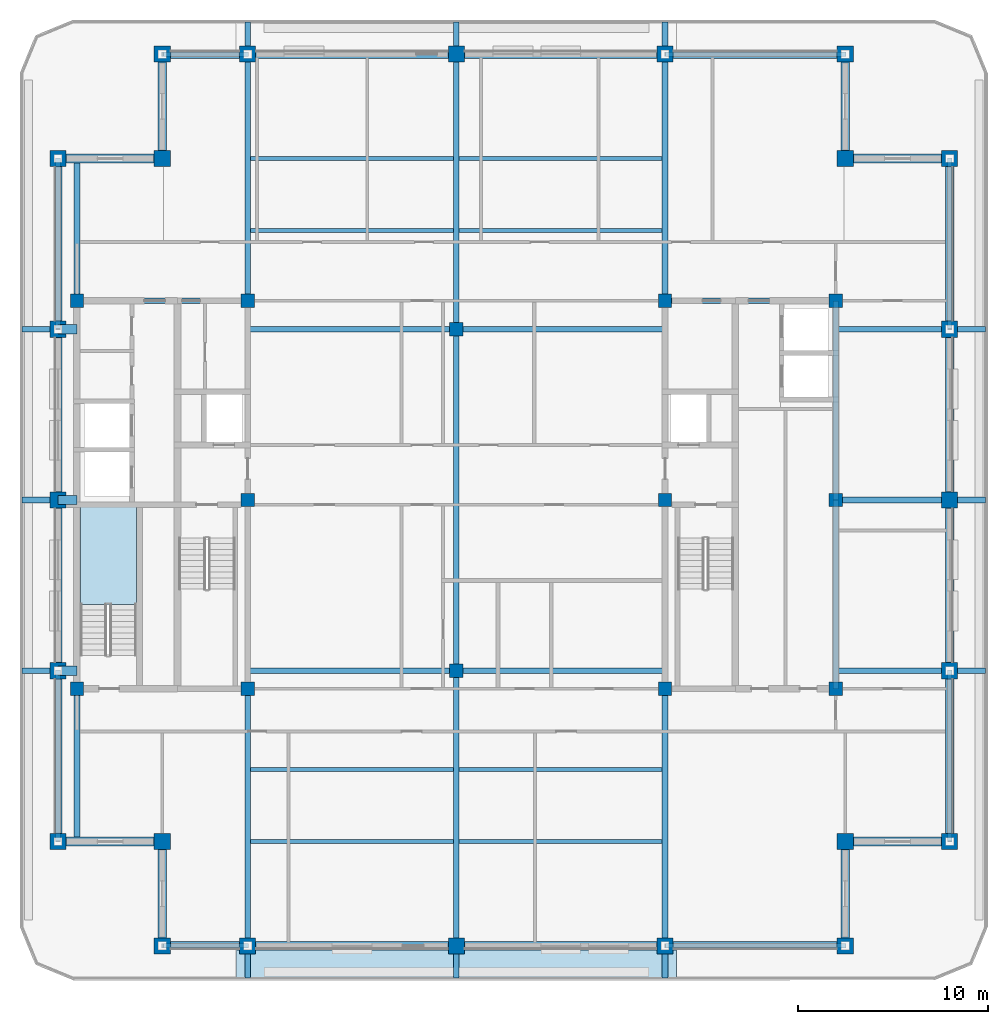
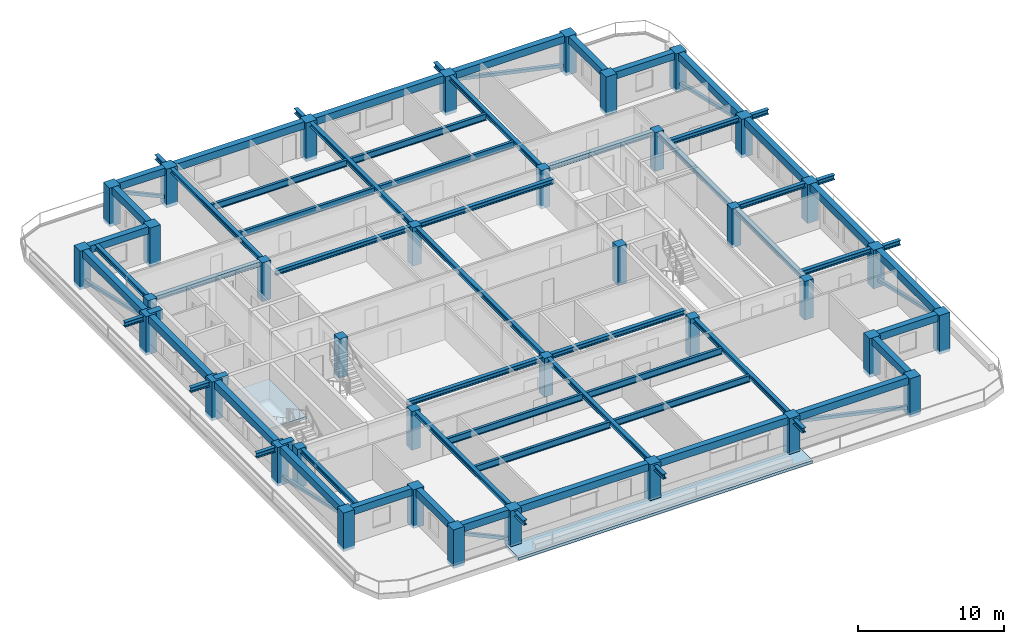
# One storey, part 1 of 11: 67 beams, 37 columns, 8 members, 2 slabs, 1 element without a shape of its own.
"""IFC4 building model written with IfcOpenShell, lengths in metres."""

import ifcopenshell
import ifcopenshell.guid

model = None  # the IFC model being written
_history = None  # IfcOwnerHistory: only IFC2X3 demands one
_inside = {}  # id of a spatial element -> (the spatial element, [elements in it])
_under = {}  # id of a project, library or spatial element -> (it, [spatial elements below it])
_declared = {}  # id of a project -> (the project, [libraries it declares])
_typed = {}  # id of a type object -> (the type object, [elements of that type])
_made_of = {}  # id of a material, layer set ... -> (it, [elements and type objects made of it])


def new_model(schema):
    """Start an empty IFC model of exactly this schema.

    Asked for "IFC4X3", IfcOpenShell would pick the latest addendum, in which some entities
    have other attributes; the version numbers below select the first issue.
    IFC2X3 requires an IfcOwnerHistory on every rooted entity: one is made here for all.
    """
    global model, _history
    if schema == "IFC4X3":
        model = ifcopenshell.file(schema_version=(4, 3, 0, 0))
    else:
        model = ifcopenshell.file(schema=schema)
    _inside.clear()
    _under.clear()
    _declared.clear()
    _typed.clear()
    _made_of.clear()
    _history = None
    if model.schema == "IFC2X3":
        org = make("IfcOrganization", Name="unknown")
        user = make(
            "IfcPersonAndOrganization",
            ThePerson=make("IfcPerson", FamilyName="unknown"),
            TheOrganization=org,
        )
        app = make(
            "IfcApplication",
            ApplicationDeveloper=org,
            Version="unknown",
            ApplicationFullName="unknown",
            ApplicationIdentifier="unknown",
        )
        _history = make(
            "IfcOwnerHistory",
            OwningUser=user,
            OwningApplication=app,
            ChangeAction="ADDED",
            CreationDate=0,
        )
    return model


def make(cls, **values):
    """One entity of the class cls with the attributes given. An attribute that is None is left unset."""
    return model.create_entity(
        cls, **{name: value for name, value in values.items() if value is not None}
    )


def rooted(cls, **values):
    """An entity with a GlobalId (a new one), such as an element, a storey or a relation."""
    return make(cls, GlobalId=ifcopenshell.guid.new(), OwnerHistory=_history, **values)


def si_unit(unit_type, name, prefix=None):
    """IfcSIUnit, for example si_unit("LENGTHUNIT", "METRE", prefix="MILLI")."""
    return make("IfcSIUnit", UnitType=unit_type, Prefix=prefix, Name=name)


def assignment(units):
    """IfcUnitAssignment: the units of a project."""
    return None if units is None else make("IfcUnitAssignment", Units=units)


def point(xyz):
    """IfcCartesianPoint."""
    return None if xyz is None else make("IfcCartesianPoint", Coordinates=xyz)


def direction(xyz):
    """IfcDirection."""
    return None if xyz is None else make("IfcDirection", DirectionRatios=xyz)


def frame(location, z_axis=None, x_axis=None):
    """IfcAxis2Placement3D, a coordinate frame: its origin and axes. An axis left out is left unset."""
    return make(
        "IfcAxis2Placement3D",
        Location=point(location),
        Axis=direction(z_axis),
        RefDirection=direction(x_axis),
    )


def frame_2d(location, x_axis=None):
    """IfcAxis2Placement2D, a coordinate frame in the plane: its origin and x axis."""
    return make(
        "IfcAxis2Placement2D", Location=point(location), RefDirection=direction(x_axis)
    )


def origin():
    """The frame at (0, 0, 0) with its axes left unset."""
    return frame((0.0, 0.0, 0.0))


def origin_2d():
    """The frame at (0, 0) in the plane with its x axis left unset."""
    return frame_2d((0.0, 0.0))


def place(relative_to, where):
    """IfcLocalPlacement: puts the frame where relative to a parent placement (None: the world)."""
    return make(
        "IfcLocalPlacement", PlacementRelTo=relative_to, RelativePlacement=where
    )


def context(
    kind, dimensions, precision=None, world=None, true_north=None, identifier=None
):
    """IfcGeometricRepresentationContext, for example the 3D "Model" context."""
    return make(
        "IfcGeometricRepresentationContext",
        ContextIdentifier=identifier,
        ContextType=kind,
        CoordinateSpaceDimension=dimensions,
        Precision=precision,
        WorldCoordinateSystem=world,
        TrueNorth=true_north,
    )


def subcontext(parent, identifier, kind, view, scale=None):
    """IfcGeometricRepresentationSubContext, for example "Body" below "Model"."""
    return make(
        "IfcGeometricRepresentationSubContext",
        ContextIdentifier=identifier,
        ContextType=kind,
        ParentContext=parent,
        TargetScale=scale,
        TargetView=view,
    )


def project(units=None, contexts=None):
    """IfcProject with its units and contexts."""
    return rooted(
        "IfcProject",
        Name="project",
        RepresentationContexts=contexts,
        UnitsInContext=assignment(units),
    )


def spatial(cls, under=None, at=None, **own):
    """A site, building, storey or space (cls), placed at a placement, below another one or the project."""
    s = rooted(cls, ObjectPlacement=at, **own)
    if under is not None:
        _under.setdefault(under.id(), (under, []))[1].append(s)
    return s


def polyline(points):
    """IfcPolyline through the points."""
    return make("IfcPolyline", Points=[point(p) for p in points])


def profile(cls, at=None, kind="AREA", **sizes):
    """A parametric profile (cls). Its sizes go by their IFC names, for example OverallWidth=200.0."""
    return make(cls, ProfileType=kind, Position=at, **sizes)


def rectangle(**sizes):
    """IfcRectangleProfileDef."""
    return profile("IfcRectangleProfileDef", **sizes)


def hollow_rectangle(**sizes):
    """IfcRectangleHollowProfileDef."""
    return profile("IfcRectangleHollowProfileDef", **sizes)


def i_section(**sizes):
    """IfcIShapeProfileDef."""
    return profile("IfcIShapeProfileDef", **sizes)


def outline(outer, holes=None, kind="AREA"):
    """IfcArbitraryClosedProfileDef: a profile drawn as a closed curve; with holes, ...WithVoids."""
    if holes is None:
        return make("IfcArbitraryClosedProfileDef", ProfileType=kind, OuterCurve=outer)
    return make(
        "IfcArbitraryProfileDefWithVoids",
        ProfileType=kind,
        OuterCurve=outer,
        InnerCurves=holes,
    )


def extrude(swept, where, along, depth):
    """IfcExtrudedAreaSolid: the profile swept, set in the frame where, extruded along a direction by depth."""
    return make(
        "IfcExtrudedAreaSolid",
        SweptArea=swept,
        Position=where,
        ExtrudedDirection=direction(along),
        Depth=depth,
    )


def shape(context_of_items, identifier, shape_type, items):
    """IfcShapeRepresentation: the items that make up one representation, for example the "Body"."""
    return make(
        "IfcShapeRepresentation",
        ContextOfItems=context_of_items,
        RepresentationIdentifier=identifier,
        RepresentationType=shape_type,
        Items=items,
    )


def material(Name=None, Category=None):
    """IfcMaterial."""
    return make("IfcMaterial", Name=Name, Category=Category)


def layer(
    of_material, thickness, ventilated=None, Name=None, Category=None, Priority=None
):
    """IfcMaterialLayer: one layer of a wall or slab, of a material (None: an air gap)."""
    return make(
        "IfcMaterialLayer",
        Material=of_material,
        LayerThickness=thickness,
        IsVentilated=ventilated,
        Name=Name,
        Category=Category,
        Priority=Priority,
    )


def layer_set(layers, Name=None):
    """IfcMaterialLayerSet."""
    return make("IfcMaterialLayerSet", MaterialLayers=layers, LayerSetName=Name)


def material_profile(
    of_material, cross_section, Name=None, Category=None, Priority=None
):
    """IfcMaterialProfile: a cross section and its material."""
    return make(
        "IfcMaterialProfile",
        Name=Name,
        Material=of_material,
        Profile=cross_section,
        Priority=Priority,
        Category=Category,
    )


def profile_set(profiles, Name=None, composite=None):
    """IfcMaterialProfileSet."""
    return make(
        "IfcMaterialProfileSet",
        Name=Name,
        MaterialProfiles=profiles,
        CompositeProfile=composite,
    )


def made_of(thing, what):
    """Note that an element or type object is made of a material, layer set ...; save() writes the relation."""
    if what is not None:
        _made_of.setdefault(what.id(), (what, []))[1].append(thing)
    return thing


def type_object(cls, material=None, **own):
    """A type object (cls), such as IfcWallType, which elements share."""
    return made_of(rooted(cls, **own), material)


def element(
    cls,
    number,
    at=None,
    inside=None,
    cuts=None,
    type_object=None,
    material=None,
    context=None,
    identifier="Body",
    shape_type=None,
    held_by="IfcProductDefinitionShape",
    body=None,
    shapes=None,
    **own,
):
    """One element of the class cls, such as IfcWall. Its Tag is "e" and its number.

    at: its placement. inside: the storey or other place that contains it. cuts: it is an
    opening in that element (IfcRelVoidsElement). A single representation is given by context,
    identifier, shape_type and body (its items); several are given by shapes. held_by: the class
    of the entity that holds the representations. save() writes the other relations.
    """
    e = rooted(cls, Tag="e%d" % number, ObjectPlacement=at, **own)
    if body is not None:
        shapes = [shape(context, identifier, shape_type, body)]
    if shapes is not None:
        e.Representation = make(held_by, Representations=shapes)
    if inside is not None:
        _inside.setdefault(inside.id(), (inside, []))[1].append(e)
    if cuts is not None:
        rooted(
            "IfcRelVoidsElement", RelatingBuildingElement=cuts, RelatedOpeningElement=e
        )
    if type_object is not None:
        _typed.setdefault(type_object.id(), (type_object, []))[1].append(e)
    return made_of(e, material)


def aggregate(whole, parts):
    """IfcRelAggregates: a whole, such as a stair, and the parts it consists of."""
    return rooted("IfcRelAggregates", RelatingObject=whole, RelatedObjects=parts)


def save(model, path):
    """Write the relations noted so far, then the file.

    IfcRelAggregates (storeys below a building ...), IfcRelContainedInSpatialStructure (elements
    in a storey), IfcRelDefinesByType, IfcRelAssociatesMaterial and IfcRelDeclares: one each for
    every whole, place, type object, material and project.
    """
    for whole, parts in _under.values():
        aggregate(whole, parts)
    for where, things in _inside.values():
        rooted(
            "IfcRelContainedInSpatialStructure",
            RelatedElements=things,
            RelatingStructure=where,
        )
    for kind, things in _typed.values():
        rooted("IfcRelDefinesByType", RelatedObjects=things, RelatingType=kind)
    for what, things in _made_of.values():
        rooted("IfcRelAssociatesMaterial", RelatedObjects=things, RelatingMaterial=what)
    for by, libraries in _declared.values():
        rooted("IfcRelDeclares", RelatingContext=by, RelatedDefinitions=libraries)
    model.write(path)


model = new_model("IFC4")

# Units and contexts
model_context = context("Model", 3, precision=1e-05, world=origin(), true_north=direction((0.0, 1.0)))
body_context = subcontext(model_context, "Body", "Model", "MODEL_VIEW")
ifc_project = project(units=[si_unit("LENGTHUNIT", "METRE"), si_unit("AREAUNIT", "SQUARE_METRE"), si_unit("VOLUMEUNIT", "CUBIC_METRE"), si_unit("PLANEANGLEUNIT", "RADIAN"), si_unit("MASSUNIT", "GRAM", prefix="KILO")], contexts=[model_context])

# Site, building, storey
site_placement = place(None, origin())
site = spatial("IfcSite", under=ifc_project, at=site_placement, CompositionType="ELEMENT")
building_placement = place(site_placement, origin())
building = spatial("IfcBuilding", under=site, at=building_placement, Name="Zulmaris Gate Convention Tower", CompositionType="ELEMENT")
storey_placement = place(building_placement, frame((0.0, 0.0, 239.739990234375)))
storey = spatial("IfcBuildingStorey", under=building, at=storey_placement, Name="L63", CompositionType="ELEMENT", Elevation=239.739990234375)

# Columns
ifc_material_1 = material(Name="Concrete C50/60", Category="concrete")
ifc_material_profile_1 = material_profile(ifc_material_1, rectangle(XDim=0.699951171875, YDim=0.699951171875, at=origin_2d()), Name="RC COL 700x700")
ifc_profile_set_1 = profile_set([ifc_material_profile_1], Name="Concrete C50/60")
column_type_1 = type_object("IfcColumnType", Name="COL-RC700", PredefinedType="COLUMN", material=ifc_profile_set_1)
for number, where, z_axis, x_axis, name in (
    (1, (-20.0, -9.949951171875, -0.25), (0.0, 0.0, 1.0), (1.0, 0.0, 0.0), "L63 Column IN--20.00_-9.95"),
    (2, (-20.0, 10.5, -0.25), (0.0, 0.0, 1.0), (1.0, 0.0, 0.0), "L63 Column IN--20.00_+10.50"),
    (3, (-11.0, -9.949951171875, -0.25), (0.0, 0.0, 1.0), (1.0, 0.0, 0.0), "L63 Column IN--11.00_-9.95"),
    (4, (-11.0, 0.0, -0.25), (0.0, 0.0, 1.0), (1.0, 0.0, 0.0), "L63 Column IN--11.00_+0.00"),
    (5, (-11.0, 10.5, -0.25), (0.0, 0.0, 1.0), (1.0, 0.0, 0.0), "L63 Column IN--11.00_+10.50"),
    (6, (11.0, -9.949951171875, -0.25), (0.0, 0.0, 1.0), (1.0, 0.0, 0.0), "L63 Column IN-+11.00_-9.95"),
    (7, (11.0, 0.0, -0.25), (0.0, 0.0, 1.0), (1.0, 0.0, 0.0), "L63 Column IN-+11.00_+0.00"),
    (8, (11.0, 10.5, -0.25), (0.0, 0.0, 1.0), (1.0, 0.0, 0.0), "L63 Column IN-+11.00_+10.50"),
    (9, (20.0, -9.949951171875, -0.25), (0.0, 0.0, 1.0), (1.0, 0.0, 0.0), "L63 Column IN-+20.00_-9.95"),
    (10, (20.0, 10.5, -0.25), (0.0, 0.0, 1.0), (1.0, 0.0, 0.0), "L63 Column IN-+20.00_+10.50"),
    (11, (0.0, -9.0, -0.25), (0.0, 0.0, 1.0), (1.0, 0.0, 0.0), "L63 Column IN-+0.00_-9.00"),
    (12, (0.0, 9.0, -0.25), (0.0, 0.0, 1.0), (1.0, 0.0, 0.0), "L63 Column IN-+0.00_+9.00"),
    (13, (20.0, 0.0, -0.25), (0.0, 0.0, 1.0), (1.0, 0.0, 0.0), "L63 Column IN-+20.00_+0.00"),
):
    element("IfcColumn", number, at=place(storey_placement, frame(where, z_axis=z_axis, x_axis=x_axis)), inside=storey, type_object=column_type_1, Name=name, PredefinedType="COLUMN", context=body_context, shape_type="SweptSolid", body=[
        extrude(rectangle(XDim=0.699951171875, YDim=0.699951171875, at=origin_2d()), origin(), (0.0, 0.0, 1.0), 3.22998046875),
    ])
ifc_material_2 = material(Name="Concrete C60/75", Category="concrete")
ifc_material_profile_2 = material_profile(ifc_material_2, rectangle(XDim=0.85009765625, YDim=0.85009765625, at=origin_2d()), Name="RC COL 850x850")
ifc_profile_set_2 = profile_set([ifc_material_profile_2], Name="Concrete C60/75")
column_type_2 = type_object("IfcColumnType", Name="COL-RC850", PredefinedType="COLUMN", material=ifc_profile_set_2)
for number, where, z_axis, x_axis, name in (
    (14, (-15.5, -23.5, -0.25), (0.0, 0.0, 1.0), (1.0, 0.0, 0.0), "L63 Column PT--15.50_-23.50"),
    (15, (-11.0, -23.5, -0.25), (0.0, 0.0, 1.0), (1.0, 0.0, 0.0), "L63 Column PT--11.00_-23.50"),
    (16, (0.0, -23.5, -0.25), (0.0, 0.0, 1.0), (1.0, 0.0, 0.0), "L63 Column PT-+0.00_-23.50"),
    (17, (11.0, -23.5, -0.25), (0.0, 0.0, 1.0), (1.0, 0.0, 0.0), "L63 Column PT-+11.00_-23.50"),
    (18, (20.5, -23.5, -0.25), (0.0, 0.0, 1.0), (1.0, 0.0, 0.0), "L63 Column PT-+20.50_-23.50"),
    (19, (-15.5, 23.5, -0.25), (0.0, 0.0, 1.0), (1.0, 0.0, 0.0), "L63 Column PT--15.50_+23.50"),
    (20, (-11.0, 23.5, -0.25), (0.0, 0.0, 1.0), (1.0, 0.0, 0.0), "L63 Column PT--11.00_+23.50"),
    (21, (0.0, 23.5, -0.25), (0.0, 0.0, 1.0), (1.0, 0.0, 0.0), "L63 Column PT-+0.00_+23.50"),
    (22, (11.0, 23.5, -0.25), (0.0, 0.0, 1.0), (1.0, 0.0, 0.0), "L63 Column PT-+11.00_+23.50"),
    (23, (20.5, 23.5, -0.25), (0.0, 0.0, 1.0), (1.0, 0.0, 0.0), "L63 Column PT-+20.50_+23.50"),
    (24, (-21.0, -18.0, -0.25), (0.0, 0.0, 1.0), (1.0, 0.0, 0.0), "L63 Column PT--21.00_-18.00"),
    (25, (-21.0, -9.0, -0.25), (0.0, 0.0, 1.0), (1.0, 0.0, 0.0), "L63 Column PT--21.00_-9.00"),
    (26, (-21.0, 0.0, -0.25), (0.0, 0.0, 1.0), (1.0, 0.0, 0.0), "L63 Column PT--21.00_+0.00"),
    (27, (-21.0, 9.0, -0.25), (0.0, 0.0, 1.0), (1.0, 0.0, 0.0), "L63 Column PT--21.00_+9.00"),
    (28, (-21.0, 18.0, -0.25), (0.0, 0.0, 1.0), (1.0, 0.0, 0.0), "L63 Column PT--21.00_+18.00"),
    (29, (26.0, -18.0, -0.25), (0.0, 0.0, 1.0), (1.0, 0.0, 0.0), "L63 Column PT-+26.00_-18.00"),
    (30, (26.0, -9.0, -0.25), (0.0, 0.0, 1.0), (1.0, 0.0, 0.0), "L63 Column PT-+26.00_-9.00"),
    (31, (26.0, 0.0, -0.25), (0.0, 0.0, 1.0), (1.0, 0.0, 0.0), "L63 Column PT-+26.00_+0.00"),
    (32, (26.0, 9.0, -0.25), (0.0, 0.0, 1.0), (1.0, 0.0, 0.0), "L63 Column PT-+26.00_+9.00"),
    (33, (26.0, 18.0, -0.25), (0.0, 0.0, 1.0), (1.0, 0.0, 0.0), "L63 Column PT-+26.00_+18.00"),
    (34, (-15.5, -18.0, -0.25), (0.0, 0.0, 1.0), (1.0, 0.0, 0.0), "L63 Column PT--15.50_-18.00"),
    (35, (20.5, -18.0, -0.25), (0.0, 0.0, 1.0), (1.0, 0.0, 0.0), "L63 Column PT-+20.50_-18.00"),
    (36, (20.5, 18.0, -0.25), (0.0, 0.0, 1.0), (1.0, 0.0, 0.0), "L63 Column PT-+20.50_+18.00"),
    (37, (-15.5, 18.0, -0.25), (0.0, 0.0, 1.0), (1.0, 0.0, 0.0), "L63 Column PT--15.50_+18.00"),
):
    element("IfcColumn", number, at=place(storey_placement, frame(where, z_axis=z_axis, x_axis=x_axis)), inside=storey, type_object=column_type_2, Name=name, PredefinedType="COLUMN", context=body_context, shape_type="SweptSolid", body=[
        extrude(rectangle(XDim=0.85009765625, YDim=0.85009765625, at=origin_2d()), origin(), (0.0, 0.0, 1.0), 3.22998046875),
    ])

# Beams
ifc_material_3 = material(Name="Steel S355", Category="steel")
ifc_material_profile_3 = material_profile(ifc_material_3, i_section(OverallWidth=0.300048828125, OverallDepth=0.39990234375, WebThickness=0.013427734375, FlangeThickness=0.02392578125, FilletRadius=0.027099609375, at=origin_2d()), Name="HEB 400")
ifc_profile_set_3 = profile_set([ifc_material_profile_3], Name="Steel S355")
beam_type_1 = type_object("IfcBeamType", Name="BM-HEB400", PredefinedType="BEAM", material=ifc_profile_set_3)
for number, where, z_axis, x_axis, name in (
    (38, (-11.0, -25.199951171875, 2.639892578125), (0.0, 1.0, 0.0), (-1.0, 0.0, 0.0), "L63 Beam TBRK-L63-S--11"),
    (39, (-11.0, 23.5, 2.639892578125), (0.0, 1.0, 0.0), (-1.0, 0.0, 0.0), "L63 Beam TBRK-L63-N--11"),
    (40, (0.0, -25.199951171875, 2.639892578125), (0.0, 1.0, 0.0), (-1.0, 0.0, 0.0), "L63 Beam TBRK-L63-S-+0"),
    (41, (0.0, 23.5, 2.639892578125), (0.0, 1.0, 0.0), (-1.0, 0.0, 0.0), "L63 Beam TBRK-L63-N-+0"),
    (42, (11.0, -25.199951171875, 2.639892578125), (0.0, 1.0, 0.0), (-1.0, 0.0, 0.0), "L63 Beam TBRK-L63-S-+11"),
    (43, (11.0, 23.5, 2.639892578125), (0.0, 1.0, 0.0), (-1.0, 0.0, 0.0), "L63 Beam TBRK-L63-N-+11"),
):
    element("IfcBeam", number, at=place(storey_placement, frame(where, z_axis=z_axis, x_axis=x_axis)), inside=storey, type_object=beam_type_1, Name=name, PredefinedType="BEAM", context=body_context, shape_type="SweptSolid", body=[
        extrude(i_section(OverallWidth=0.300048828125, OverallDepth=0.39990234375, WebThickness=0.013427734375, FlangeThickness=0.02392578125, FilletRadius=0.027099609375, at=origin_2d()), origin(), (0.0, 0.0, 1.0), 1.699951171875),
    ])
for number, where, z_axis, x_axis, name in (
    (44, (-22.89990234375, -9.0, 2.639892578125), (1.0, 0.0, 0.0), (0.0, 1.0, 0.0), "L63 Beam TBRK-L63-W--9"),
    (45, (26.0, -9.0, 2.639892578125), (1.0, 0.0, 0.0), (0.0, 1.0, 0.0), "L63 Beam TBRK-L63-E--9"),
    (46, (-22.89990234375, 0.0, 2.639892578125), (1.0, 0.0, 0.0), (0.0, 1.0, 0.0), "L63 Beam TBRK-L63-W-+0"),
    (47, (26.0, 0.0, 2.639892578125), (1.0, 0.0, 0.0), (0.0, 1.0, 0.0), "L63 Beam TBRK-L63-E-+0"),
    (48, (-22.89990234375, 9.0, 2.639892578125), (1.0, 0.0, 0.0), (0.0, 1.0, 0.0), "L63 Beam TBRK-L63-W-+9"),
    (49, (26.0, 9.0, 2.639892578125), (1.0, 0.0, 0.0), (0.0, 1.0, 0.0), "L63 Beam TBRK-L63-E-+9"),
):
    element("IfcBeam", number, at=place(storey_placement, frame(where, z_axis=z_axis, x_axis=x_axis)), inside=storey, type_object=beam_type_1, Name=name, PredefinedType="BEAM", context=body_context, shape_type="SweptSolid", body=[
        extrude(i_section(OverallWidth=0.300048828125, OverallDepth=0.39990234375, WebThickness=0.013427734375, FlangeThickness=0.02392578125, FilletRadius=0.027099609375, at=origin_2d()), origin(), (0.0, 0.0, 1.0), 1.89990234375),
    ])
for number, where, z_axis, x_axis, name in (
    (50, (-11.0, -9.0, 2.778076171875), (1.0, 0.0, 0.0), (0.0, 1.0, 0.0), "L63 Beam BM-L63-G01"),
    (51, (0.0, -9.0, 2.778076171875), (1.0, 0.0, 0.0), (0.0, 1.0, 0.0), "L63 Beam BM-L63-G02"),
    (52, (-11.0, 9.0, 2.778076171875), (1.0, 0.0, 0.0), (0.0, 1.0, 0.0), "L63 Beam BM-L63-G03"),
    (53, (0.0, 9.0, 2.778076171875), (1.0, 0.0, 0.0), (0.0, 1.0, 0.0), "L63 Beam BM-L63-G04"),
):
    element("IfcBeam", number, at=place(storey_placement, frame(where, z_axis=z_axis, x_axis=x_axis)), inside=storey, type_object=beam_type_1, Name=name, PredefinedType="BEAM", context=body_context, shape_type="SweptSolid", body=[
        extrude(i_section(OverallWidth=0.300048828125, OverallDepth=0.39990234375, WebThickness=0.013427734375, FlangeThickness=0.02392578125, FilletRadius=0.027099609375, at=origin_2d()), origin(), (0.0, 0.0, 1.0), 11.0),
    ])
beam_1_placement = place(storey_placement, frame((0.0, -23.5, 2.778076171875), z_axis=(0.0, 1.0, 0.0), x_axis=(-1.0, 0.0, 0.0)))
element("IfcBeam", 54, at=beam_1_placement, inside=storey, type_object=beam_type_1, Name="L63 Beam BM-L63-G05", PredefinedType="BEAM", context=body_context, shape_type="SweptSolid", body=[
    extrude(i_section(OverallWidth=0.300048828125, OverallDepth=0.39990234375, WebThickness=0.013427734375, FlangeThickness=0.02392578125, FilletRadius=0.027099609375, at=origin_2d()), origin(), (0.0, 0.0, 1.0), 14.5),
])
beam_2_placement = place(storey_placement, frame((0.0, -9.0, 2.778076171875), z_axis=(0.0, 1.0, 0.0), x_axis=(-1.0, 0.0, 0.0)))
element("IfcBeam", 55, at=beam_2_placement, inside=storey, type_object=beam_type_1, Name="L63 Beam BM-L63-G06", PredefinedType="BEAM", context=body_context, shape_type="SweptSolid", body=[
    extrude(i_section(OverallWidth=0.300048828125, OverallDepth=0.39990234375, WebThickness=0.013427734375, FlangeThickness=0.02392578125, FilletRadius=0.027099609375, at=origin_2d()), origin(), (0.0, 0.0, 1.0), 18.0),
])
beam_3_placement = place(storey_placement, frame((0.0, 9.0, 2.778076171875), z_axis=(0.0, 1.0, 0.0), x_axis=(-1.0, 0.0, 0.0)))
element("IfcBeam", 56, at=beam_3_placement, inside=storey, type_object=beam_type_1, Name="L63 Beam BM-L63-G07", PredefinedType="BEAM", context=body_context, shape_type="SweptSolid", body=[
    extrude(i_section(OverallWidth=0.300048828125, OverallDepth=0.39990234375, WebThickness=0.013427734375, FlangeThickness=0.02392578125, FilletRadius=0.027099609375, at=origin_2d()), origin(), (0.0, 0.0, 1.0), 14.5),
])
beam_4_placement = place(storey_placement, frame((-11.0, -23.5, 2.778076171875), z_axis=(0.0, 1.0, 0.0), x_axis=(-1.0, 0.0, 0.0)))
element("IfcBeam", 57, at=beam_4_placement, inside=storey, type_object=beam_type_1, Name="L63 Beam BM-L63-G08", PredefinedType="BEAM", context=body_context, shape_type="SweptSolid", body=[
    extrude(i_section(OverallWidth=0.300048828125, OverallDepth=0.39990234375, WebThickness=0.013427734375, FlangeThickness=0.02392578125, FilletRadius=0.027099609375, at=origin_2d()), origin(), (0.0, 0.0, 1.0), 13.550048828125),
])
beam_5_placement = place(storey_placement, frame((-11.0, 10.5, 2.778076171875), z_axis=(0.0, 1.0, 0.0), x_axis=(-1.0, 0.0, 0.0)))
element("IfcBeam", 58, at=beam_5_placement, inside=storey, type_object=beam_type_1, Name="L63 Beam BM-L63-G09", PredefinedType="BEAM", context=body_context, shape_type="SweptSolid", body=[
    extrude(i_section(OverallWidth=0.300048828125, OverallDepth=0.39990234375, WebThickness=0.013427734375, FlangeThickness=0.02392578125, FilletRadius=0.027099609375, at=origin_2d()), origin(), (0.0, 0.0, 1.0), 13.0),
])
beam_6_placement = place(storey_placement, frame((11.0, -23.5, 2.778076171875), z_axis=(0.0, 1.0, 0.0), x_axis=(-1.0, 0.0, 0.0)))
element("IfcBeam", 59, at=beam_6_placement, inside=storey, type_object=beam_type_1, Name="L63 Beam BM-L63-G10", PredefinedType="BEAM", context=body_context, shape_type="SweptSolid", body=[
    extrude(i_section(OverallWidth=0.300048828125, OverallDepth=0.39990234375, WebThickness=0.013427734375, FlangeThickness=0.02392578125, FilletRadius=0.027099609375, at=origin_2d()), origin(), (0.0, 0.0, 1.0), 13.550048828125),
])
beam_7_placement = place(storey_placement, frame((11.0, 10.5, 2.778076171875), z_axis=(0.0, 1.0, 0.0), x_axis=(-1.0, 0.0, 0.0)))
element("IfcBeam", 60, at=beam_7_placement, inside=storey, type_object=beam_type_1, Name="L63 Beam BM-L63-G11", PredefinedType="BEAM", context=body_context, shape_type="SweptSolid", body=[
    extrude(i_section(OverallWidth=0.300048828125, OverallDepth=0.39990234375, WebThickness=0.013427734375, FlangeThickness=0.02392578125, FilletRadius=0.027099609375, at=origin_2d()), origin(), (0.0, 0.0, 1.0), 13.0),
])
beam_8_placement = place(storey_placement, frame((-20.0, -18.0, 2.778076171875), z_axis=(0.0, 1.0, 0.0), x_axis=(-1.0, 0.0, 0.0)))
element("IfcBeam", 61, at=beam_8_placement, inside=storey, type_object=beam_type_1, Name="L63 Beam BM-L63-G12", PredefinedType="BEAM", context=body_context, shape_type="SweptSolid", body=[
    extrude(i_section(OverallWidth=0.300048828125, OverallDepth=0.39990234375, WebThickness=0.013427734375, FlangeThickness=0.02392578125, FilletRadius=0.027099609375, at=origin_2d()), origin(), (0.0, 0.0, 1.0), 8.050048828125),
])
beam_9_placement = place(storey_placement, frame((-20.0, 10.5, 2.778076171875), z_axis=(0.0, 1.0, 0.0), x_axis=(-1.0, 0.0, 0.0)))
element("IfcBeam", 62, at=beam_9_placement, inside=storey, type_object=beam_type_1, Name="L63 Beam BM-L63-G13", PredefinedType="BEAM", context=body_context, shape_type="SweptSolid", body=[
    extrude(i_section(OverallWidth=0.300048828125, OverallDepth=0.39990234375, WebThickness=0.013427734375, FlangeThickness=0.02392578125, FilletRadius=0.027099609375, at=origin_2d()), origin(), (0.0, 0.0, 1.0), 7.5),
])
for number, where, z_axis, x_axis, name in (
    (63, (20.0, -9.0, 2.778076171875), (1.0, 0.0, 0.0), (0.0, 1.0, 0.0), "L63 Beam BM-L63-G19"),
    (64, (20.0, 0.0, 2.778076171875), (1.0, 0.0, 0.0), (0.0, 1.0, 0.0), "L63 Beam BM-L63-G20"),
    (65, (20.0, 9.0, 2.778076171875), (1.0, 0.0, 0.0), (0.0, 1.0, 0.0), "L63 Beam BM-L63-G21"),
):
    element("IfcBeam", number, at=place(storey_placement, frame(where, z_axis=z_axis, x_axis=x_axis)), inside=storey, type_object=beam_type_1, Name=name, PredefinedType="BEAM", context=body_context, shape_type="SweptSolid", body=[
        extrude(i_section(OverallWidth=0.300048828125, OverallDepth=0.39990234375, WebThickness=0.013427734375, FlangeThickness=0.02392578125, FilletRadius=0.027099609375, at=origin_2d()), origin(), (0.0, 0.0, 1.0), 6.0),
    ])
for number, where, z_axis, x_axis, name in (
    (66, (-20.0, 10.5, 2.778076171875), (1.0, 0.0, 0.0), (0.0, 1.0, 0.0), "L63 Beam BM-L63-G23"),
    (67, (11.0, 10.5, 2.778076171875), (1.0, 0.0, 0.0), (0.0, 1.0, 0.0), "L63 Beam BM-L63-G25"),
):
    element("IfcBeam", number, at=place(storey_placement, frame(where, z_axis=z_axis, x_axis=x_axis)), inside=storey, type_object=beam_type_1, Name=name, PredefinedType="BEAM", context=body_context, shape_type="SweptSolid", body=[
        extrude(i_section(OverallWidth=0.300048828125, OverallDepth=0.39990234375, WebThickness=0.013427734375, FlangeThickness=0.02392578125, FilletRadius=0.027099609375, at=origin_2d()), origin(), (0.0, 0.0, 1.0), 9.0),
    ])
beam_10_placement = place(storey_placement, frame((20.0, -9.949951171875, 2.778076171875), z_axis=(0.0, 1.0, 0.0), x_axis=(-1.0, 0.0, 0.0)))
element("IfcBeam", 68, at=beam_10_placement, inside=storey, type_object=beam_type_1, Name="L63 Beam BM-L63-G28", PredefinedType="BEAM", context=body_context, shape_type="SweptSolid", body=[
    extrude(i_section(OverallWidth=0.300048828125, OverallDepth=0.39990234375, WebThickness=0.013427734375, FlangeThickness=0.02392578125, FilletRadius=0.027099609375, at=origin_2d()), origin(), (0.0, 0.0, 1.0), 9.949951171875),
])
beam_11_placement = place(storey_placement, frame((20.0, 0.0, 2.778076171875), z_axis=(0.0, 1.0, 0.0), x_axis=(-1.0, 0.0, 0.0)))
element("IfcBeam", 69, at=beam_11_placement, inside=storey, type_object=beam_type_1, Name="L63 Beam BM-L63-G29", PredefinedType="BEAM", context=body_context, shape_type="SweptSolid", body=[
    extrude(i_section(OverallWidth=0.300048828125, OverallDepth=0.39990234375, WebThickness=0.013427734375, FlangeThickness=0.02392578125, FilletRadius=0.027099609375, at=origin_2d()), origin(), (0.0, 0.0, 1.0), 10.5),
])
ifc_material_profile_4 = material_profile(ifc_material_1, rectangle(XDim=0.5, YDim=0.800048828125, at=origin_2d()), Name="RC BEAM 500x800")
ifc_profile_set_4 = profile_set([ifc_material_profile_4], Name="Concrete C50/60")
beam_type_2 = type_object("IfcBeamType", Name="BM-RC500x800", PredefinedType="BEAM", material=ifc_profile_set_4)
for number, where, z_axis, x_axis, name in (
    (70, (-21.0, -9.0, 2.580078125), (1.0, 0.0, 0.0), (0.0, 1.0, 0.0), "L63 Beam BM-L63-G16"),
    (71, (-21.0, 0.0, 2.580078125), (1.0, 0.0, 0.0), (0.0, 1.0, 0.0), "L63 Beam BM-L63-G17"),
    (72, (-21.0, 9.0, 2.580078125), (1.0, 0.0, 0.0), (0.0, 1.0, 0.0), "L63 Beam BM-L63-G18"),
):
    element("IfcBeam", number, at=place(storey_placement, frame(where, z_axis=z_axis, x_axis=x_axis)), inside=storey, type_object=beam_type_2, Name=name, PredefinedType="BEAM", context=body_context, shape_type="SweptSolid", body=[
        extrude(rectangle(XDim=0.5, YDim=0.800048828125, at=origin_2d()), origin(), (0.0, 0.0, 1.0), 1.0),
    ])
ifc_material_4 = material(Name="Precast concrete C50/60", Category="concrete")
ifc_material_profile_5 = material_profile(ifc_material_4, rectangle(XDim=0.449951171875, YDim=0.60009765625, at=origin_2d()), Name="RC SPANDREL 450x600")
ifc_profile_set_5 = profile_set([ifc_material_profile_5], Name="Precast concrete C50/60")
beam_type_3 = type_object("IfcBeamType", Name="BM-SP450x600", PredefinedType="SPANDREL", material=ifc_profile_set_5)
beam_12_placement = place(storey_placement, frame((-15.5, -23.5, 2.679931640625), z_axis=(1.0, 0.0, 0.0), x_axis=(0.0, 1.0, 0.0)))
element("IfcBeam", 73, at=beam_12_placement, inside=storey, type_object=beam_type_3, Name="L63 Spandrel SP-L63-01", PredefinedType="SPANDREL", context=body_context, shape_type="SweptSolid", body=[
    extrude(rectangle(XDim=0.449951171875, YDim=0.60009765625, at=origin_2d()), origin(), (0.0, 0.0, 1.0), 4.5),
])
for number, where, z_axis, x_axis, name in (
    (74, (-11.0, -23.5, 2.679931640625), (1.0, 0.0, 0.0), (0.0, 1.0, 0.0), "L63 Spandrel SP-L63-02"),
    (75, (0.0, -23.5, 2.679931640625), (1.0, 0.0, 0.0), (0.0, 1.0, 0.0), "L63 Spandrel SP-L63-03"),
):
    element("IfcBeam", number, at=place(storey_placement, frame(where, z_axis=z_axis, x_axis=x_axis)), inside=storey, type_object=beam_type_3, Name=name, PredefinedType="SPANDREL", context=body_context, shape_type="SweptSolid", body=[
        extrude(rectangle(XDim=0.449951171875, YDim=0.60009765625, at=origin_2d()), origin(), (0.0, 0.0, 1.0), 11.0),
    ])
beam_13_placement = place(storey_placement, frame((11.0, -23.5, 2.679931640625), z_axis=(1.0, 0.0, 0.0), x_axis=(0.0, 1.0, 0.0)))
element("IfcBeam", 76, at=beam_13_placement, inside=storey, type_object=beam_type_3, Name="L63 Spandrel SP-L63-04", PredefinedType="SPANDREL", context=body_context, shape_type="SweptSolid", body=[
    extrude(rectangle(XDim=0.449951171875, YDim=0.60009765625, at=origin_2d()), origin(), (0.0, 0.0, 1.0), 9.5),
])
for number, where, z_axis, x_axis, name in (
    (77, (20.5, -23.5, 2.679931640625), (0.0, 1.0, 0.0), (-1.0, 0.0, 0.0), "L63 Spandrel SP-L63-05"),
    (78, (20.5, -18.0, 2.679931640625), (1.0, 0.0, 0.0), (0.0, 1.0, 0.0), "L63 Spandrel SP-L63-06"),
):
    element("IfcBeam", number, at=place(storey_placement, frame(where, z_axis=z_axis, x_axis=x_axis)), inside=storey, type_object=beam_type_3, Name=name, PredefinedType="SPANDREL", context=body_context, shape_type="SweptSolid", body=[
        extrude(rectangle(XDim=0.449951171875, YDim=0.60009765625, at=origin_2d()), origin(), (0.0, 0.0, 1.0), 5.5),
    ])
for number, where, z_axis, x_axis, name in (
    (79, (26.0, -18.0, 2.679931640625), (0.0, 1.0, 0.0), (-1.0, 0.0, 0.0), "L63 Spandrel SP-L63-07"),
    (80, (26.0, -9.0, 2.679931640625), (0.0, 1.0, 0.0), (-1.0, 0.0, 0.0), "L63 Spandrel SP-L63-08"),
    (81, (26.0, 0.0, 2.679931640625), (0.0, 1.0, 0.0), (-1.0, 0.0, 0.0), "L63 Spandrel SP-L63-09"),
    (82, (26.0, 9.0, 2.679931640625), (0.0, 1.0, 0.0), (-1.0, 0.0, 0.0), "L63 Spandrel SP-L63-10"),
):
    element("IfcBeam", number, at=place(storey_placement, frame(where, z_axis=z_axis, x_axis=x_axis)), inside=storey, type_object=beam_type_3, Name=name, PredefinedType="SPANDREL", context=body_context, shape_type="SweptSolid", body=[
        extrude(rectangle(XDim=0.449951171875, YDim=0.60009765625, at=origin_2d()), origin(), (0.0, 0.0, 1.0), 9.0),
    ])
for number, where, z_axis, x_axis, name in (
    (83, (26.0, 18.0, 2.679931640625), (-1.0, 0.0, 0.0), (0.0, -1.0, 0.0), "L63 Spandrel SP-L63-11"),
    (84, (20.5, 18.0, 2.679931640625), (0.0, 1.0, 0.0), (-1.0, 0.0, 0.0), "L63 Spandrel SP-L63-12"),
):
    element("IfcBeam", number, at=place(storey_placement, frame(where, z_axis=z_axis, x_axis=x_axis)), inside=storey, type_object=beam_type_3, Name=name, PredefinedType="SPANDREL", context=body_context, shape_type="SweptSolid", body=[
        extrude(rectangle(XDim=0.449951171875, YDim=0.60009765625, at=origin_2d()), origin(), (0.0, 0.0, 1.0), 5.5),
    ])
beam_14_placement = place(storey_placement, frame((20.5, 23.5, 2.679931640625), z_axis=(-1.0, 0.0, 0.0), x_axis=(0.0, -1.0, 0.0)))
element("IfcBeam", 85, at=beam_14_placement, inside=storey, type_object=beam_type_3, Name="L63 Spandrel SP-L63-13", PredefinedType="SPANDREL", context=body_context, shape_type="SweptSolid", body=[
    extrude(rectangle(XDim=0.449951171875, YDim=0.60009765625, at=origin_2d()), origin(), (0.0, 0.0, 1.0), 9.5),
])
for number, where, z_axis, x_axis, name in (
    (86, (11.0, 23.5, 2.679931640625), (-1.0, 0.0, 0.0), (0.0, -1.0, 0.0), "L63 Spandrel SP-L63-14"),
    (87, (0.0, 23.5, 2.679931640625), (-1.0, 0.0, 0.0), (0.0, -1.0, 0.0), "L63 Spandrel SP-L63-15"),
):
    element("IfcBeam", number, at=place(storey_placement, frame(where, z_axis=z_axis, x_axis=x_axis)), inside=storey, type_object=beam_type_3, Name=name, PredefinedType="SPANDREL", context=body_context, shape_type="SweptSolid", body=[
        extrude(rectangle(XDim=0.449951171875, YDim=0.60009765625, at=origin_2d()), origin(), (0.0, 0.0, 1.0), 11.0),
    ])
beam_15_placement = place(storey_placement, frame((-11.0, 23.5, 2.679931640625), z_axis=(-1.0, 0.0, 0.0), x_axis=(0.0, -1.0, 0.0)))
element("IfcBeam", 88, at=beam_15_placement, inside=storey, type_object=beam_type_3, Name="L63 Spandrel SP-L63-16", PredefinedType="SPANDREL", context=body_context, shape_type="SweptSolid", body=[
    extrude(rectangle(XDim=0.449951171875, YDim=0.60009765625, at=origin_2d()), origin(), (0.0, 0.0, 1.0), 4.5),
])
for number, where, z_axis, x_axis, name in (
    (89, (-15.5, 23.5, 2.679931640625), (0.0, -1.0, 0.0), (1.0, 0.0, 0.0), "L63 Spandrel SP-L63-17"),
    (90, (-15.5, 18.0, 2.679931640625), (-1.0, 0.0, 0.0), (0.0, -1.0, 0.0), "L63 Spandrel SP-L63-18"),
):
    element("IfcBeam", number, at=place(storey_placement, frame(where, z_axis=z_axis, x_axis=x_axis)), inside=storey, type_object=beam_type_3, Name=name, PredefinedType="SPANDREL", context=body_context, shape_type="SweptSolid", body=[
        extrude(rectangle(XDim=0.449951171875, YDim=0.60009765625, at=origin_2d()), origin(), (0.0, 0.0, 1.0), 5.5),
    ])
for number, where, z_axis, x_axis, name in (
    (91, (-21.0, 18.0, 2.679931640625), (0.0, -1.0, 0.0), (1.0, 0.0, 0.0), "L63 Spandrel SP-L63-19"),
    (92, (-21.0, 9.0, 2.679931640625), (0.0, -1.0, 0.0), (1.0, 0.0, 0.0), "L63 Spandrel SP-L63-20"),
    (93, (-21.0, 0.0, 2.679931640625), (0.0, -1.0, 0.0), (1.0, 0.0, 0.0), "L63 Spandrel SP-L63-21"),
    (94, (-21.0, -9.0, 2.679931640625), (0.0, -1.0, 0.0), (1.0, 0.0, 0.0), "L63 Spandrel SP-L63-22"),
):
    element("IfcBeam", number, at=place(storey_placement, frame(where, z_axis=z_axis, x_axis=x_axis)), inside=storey, type_object=beam_type_3, Name=name, PredefinedType="SPANDREL", context=body_context, shape_type="SweptSolid", body=[
        extrude(rectangle(XDim=0.449951171875, YDim=0.60009765625, at=origin_2d()), origin(), (0.0, 0.0, 1.0), 9.0),
    ])
for number, where, z_axis, x_axis, name in (
    (95, (-21.0, -18.0, 2.679931640625), (1.0, 0.0, 0.0), (0.0, 1.0, 0.0), "L63 Spandrel SP-L63-23"),
    (96, (-15.5, -18.0, 2.679931640625), (0.0, -1.0, 0.0), (1.0, 0.0, 0.0), "L63 Spandrel SP-L63-24"),
):
    element("IfcBeam", number, at=place(storey_placement, frame(where, z_axis=z_axis, x_axis=x_axis)), inside=storey, type_object=beam_type_3, Name=name, PredefinedType="SPANDREL", context=body_context, shape_type="SweptSolid", body=[
        extrude(rectangle(XDim=0.449951171875, YDim=0.60009765625, at=origin_2d()), origin(), (0.0, 0.0, 1.0), 5.5),
    ])

# Members
ifc_material_profile_6 = material_profile(ifc_material_3, hollow_rectangle(XDim=0.25, YDim=0.25, WallThickness=0.012451171875, at=origin_2d()), Name="SHS 250x250x12.5")
ifc_profile_set_6 = profile_set([ifc_material_profile_6], Name="Steel S355")
member_type = type_object("IfcMemberType", Name="BR-SHS250", PredefinedType="BRACE", material=ifc_profile_set_6)
for number, where, z_axis, x_axis, name in (
    (97, (-21.0, -9.0, 0.300048828125), (0.0, -0.974789860724, 0.223124914409), (1.0, 0.0, 0.0), "L63 Perimeter Tube Diagonal SW-W"),
    (98, (-21.0, 18.0, 0.300048828125), (0.0, -0.974789860724, 0.223124914409), (1.0, 0.0, 0.0), "L63 Perimeter Tube Diagonal NW-W"),
    (99, (26.0, -9.0, 0.300048828125), (0.0, -0.974789860724, 0.223124914409), (1.0, 0.0, 0.0), "L63 Perimeter Tube Diagonal SE-E"),
    (100, (26.0, 18.0, 0.300048828125), (0.0, -0.974789860724, 0.223124914409), (1.0, 0.0, 0.0), "L63 Perimeter Tube Diagonal NE-E"),
):
    element("IfcMember", number, at=place(storey_placement, frame(where, z_axis=z_axis, x_axis=x_axis)), inside=storey, type_object=member_type, Name=name, PredefinedType="BRACE", context=body_context, shape_type="SweptSolid", body=[
        extrude(hollow_rectangle(XDim=0.25, YDim=0.25, WallThickness=0.012451171875, at=origin_2d()), origin(), (0.0, 0.0, 1.0), 9.232666015625),
    ])
member_1_placement = place(storey_placement, frame((-11.0, -23.5, 0.300048828125), z_axis=(-0.909251577034, 0.0, 0.416247005589), x_axis=(0.0, -1.0, 0.0)))
element("IfcMember", 101, at=member_1_placement, inside=storey, type_object=member_type, Name="L63 Perimeter Tube Diagonal SW-S", PredefinedType="BRACE", context=body_context, shape_type="SweptSolid", body=[
    extrude(hollow_rectangle(XDim=0.25, YDim=0.25, WallThickness=0.012451171875, at=origin_2d()), origin(), (0.0, 0.0, 1.0), 4.94921875),
])
member_2_placement = place(storey_placement, frame((20.5, -23.5, 0.300048828125), z_axis=(-0.977286395287, 0.0, 0.21192286707), x_axis=(0.0, -1.0, 0.0)))
element("IfcMember", 102, at=member_2_placement, inside=storey, type_object=member_type, Name="L63 Perimeter Tube Diagonal SE-S", PredefinedType="BRACE", context=body_context, shape_type="SweptSolid", body=[
    extrude(hollow_rectangle(XDim=0.25, YDim=0.25, WallThickness=0.012451171875, at=origin_2d()), origin(), (0.0, 0.0, 1.0), 9.720703125),
])
member_3_placement = place(storey_placement, frame((-11.0, 23.5, 0.300048828125), z_axis=(-0.909251577034, 0.0, 0.416247005589), x_axis=(0.0, -1.0, 0.0)))
element("IfcMember", 103, at=member_3_placement, inside=storey, type_object=member_type, Name="L63 Perimeter Tube Diagonal NW-N", PredefinedType="BRACE", context=body_context, shape_type="SweptSolid", body=[
    extrude(hollow_rectangle(XDim=0.25, YDim=0.25, WallThickness=0.012451171875, at=origin_2d()), origin(), (0.0, 0.0, 1.0), 4.94921875),
])
member_4_placement = place(storey_placement, frame((20.5, 23.5, 0.300048828125), z_axis=(-0.977286395287, 0.0, 0.21192286707), x_axis=(0.0, -1.0, 0.0)))
element("IfcMember", 104, at=member_4_placement, inside=storey, type_object=member_type, Name="L63 Perimeter Tube Diagonal NE-N", PredefinedType="BRACE", context=body_context, shape_type="SweptSolid", body=[
    extrude(hollow_rectangle(XDim=0.25, YDim=0.25, WallThickness=0.012451171875, at=origin_2d()), origin(), (0.0, 0.0, 1.0), 9.720703125),
])

# Beams
ifc_material_profile_7 = material_profile(ifc_material_3, i_section(OverallWidth=0.2099609375, OverallDepth=0.550048828125, WebThickness=0.010986328125, FlangeThickness=0.01708984375, FilletRadius=0.02392578125, at=origin_2d()), Name="IPE 550")
ifc_profile_set_7 = profile_set([ifc_material_profile_7], Name="Steel S355")
beam_type_4 = type_object("IfcBeamType", Name="JT-IPE550", PredefinedType="JOIST", material=ifc_profile_set_7)
for number, where, z_axis, x_axis, name in (
    (105, (-10.85009765625, -18.0, 2.703125), (1.0, 0.0, 0.0), (0.0, 1.0, 0.0), "L63 Joist JT-L63-CW--18.0"),
    (106, (0.14990234375, -18.0, 2.703125), (1.0, 0.0, 0.0), (0.0, 1.0, 0.0), "L63 Joist JT-L63-CE--18.0"),
    (107, (-10.85009765625, -14.199951171875, 2.703125), (1.0, 0.0, 0.0), (0.0, 1.0, 0.0), "L63 Joist JT-L63-CW--14.2"),
    (108, (0.14990234375, -14.199951171875, 2.703125), (1.0, 0.0, 0.0), (0.0, 1.0, 0.0), "L63 Joist JT-L63-CE--14.2"),
    (109, (-10.85009765625, 14.199951171875, 2.703125), (1.0, 0.0, 0.0), (0.0, 1.0, 0.0), "L63 Joist JT-L63-CW-+14.2"),
    (110, (0.14990234375, 14.199951171875, 2.703125), (1.0, 0.0, 0.0), (0.0, 1.0, 0.0), "L63 Joist JT-L63-CE-+14.2"),
    (111, (-10.85009765625, 18.0, 2.703125), (1.0, 0.0, 0.0), (0.0, 1.0, 0.0), "L63 Joist JT-L63-CW-+18.0"),
    (112, (0.14990234375, 18.0, 2.703125), (1.0, 0.0, 0.0), (0.0, 1.0, 0.0), "L63 Joist JT-L63-CE-+18.0"),
):
    element("IfcBeam", number, at=place(storey_placement, frame(where, z_axis=z_axis, x_axis=x_axis)), inside=storey, type_object=beam_type_4, Name=name, PredefinedType="JOIST", context=body_context, shape_type="SweptSolid", body=[
        extrude(i_section(OverallWidth=0.2099609375, OverallDepth=0.550048828125, WebThickness=0.010986328125, FlangeThickness=0.01708984375, FilletRadius=0.02392578125, at=origin_2d()), origin(), (0.0, 0.0, 1.0), 10.7001953125),
    ])

# Slab
ifc_layer_1 = layer(ifc_material_4, 0.239990234375, Name="Precast concrete C50/60")
ifc_layer_set_1 = layer_set([ifc_layer_1], Name="Precast concrete C50/60")
slab_type_1 = type_object("IfcSlabType", Name="SL-BAL-240", PredefinedType="FLOOR", material=ifc_layer_set_1)
slab_1_placement = place(storey_placement, frame((0.0, 0.0, -0.25)))
element("IfcSlab", 113, at=slab_1_placement, inside=storey, type_object=slab_type_1, Name="L63 South Tree-Balcony Planter Slab", PredefinedType="FLOOR", context=body_context, shape_type="SweptSolid", body=[
    extrude(outline(polyline([(-11.597900390625, -25.300048828125), (-11.597900390625, -23.5), (11.597900390625, -23.5), (11.597900390625, -25.300048828125), (-11.597900390625, -25.300048828125)])), origin(), (0.0, 0.0, 1.0), 0.239990234375),
])

# Stair, slab
ifc_material_5 = material(Name="Concrete C45/55", Category="concrete")
stair_type = type_object("IfcStairType", Name="ST-CORE-DOGLEG", PredefinedType="HALF_TURN_STAIR", material=ifc_material_5)
stair_placement = place(storey_placement, origin())
stair = element("IfcStair", 114, at=stair_placement, inside=storey, type_object=stair_type, Name="L63 Core Exit Stair ST-3", PredefinedType="HALF_TURN_STAIR")
ifc_layer_2 = layer(ifc_material_5, 0.199951171875, Name="Concrete C45/55")
ifc_layer_set_2 = layer_set([ifc_layer_2], Name="Concrete C45/55")
slab_type_2 = type_object("IfcSlabType", Name="SL-LND-200", PredefinedType="LANDING", material=ifc_layer_set_2)
slab_2_placement = place(storey_placement, frame((0.0, 0.0, 1.4150390625)))
slab_2 = element("IfcSlab", 115, at=slab_2_placement, type_object=slab_type_2, Name="ST-3 landing 1", PredefinedType="LANDING", context=body_context, shape_type="SweptSolid", body=[
    extrude(outline(polyline([(-16.860107421875, -5.5), (-16.860107421875, -0.35009765625), (-19.820068359375, -0.35009765625), (-19.820068359375, -5.5), (-16.860107421875, -5.5)])), origin(), (0.0, 0.0, 1.0), 0.199951171875),
])
aggregate(stair, [slab_2])

save(model, "model.ifc")
